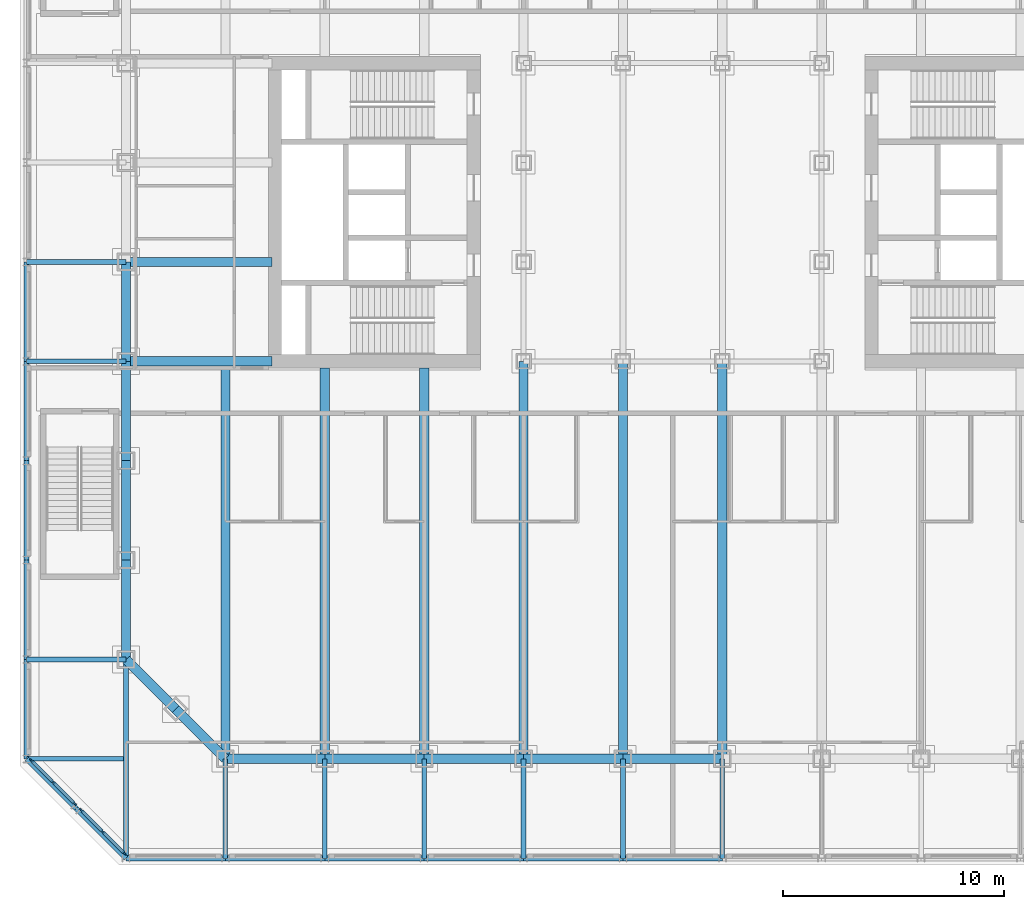
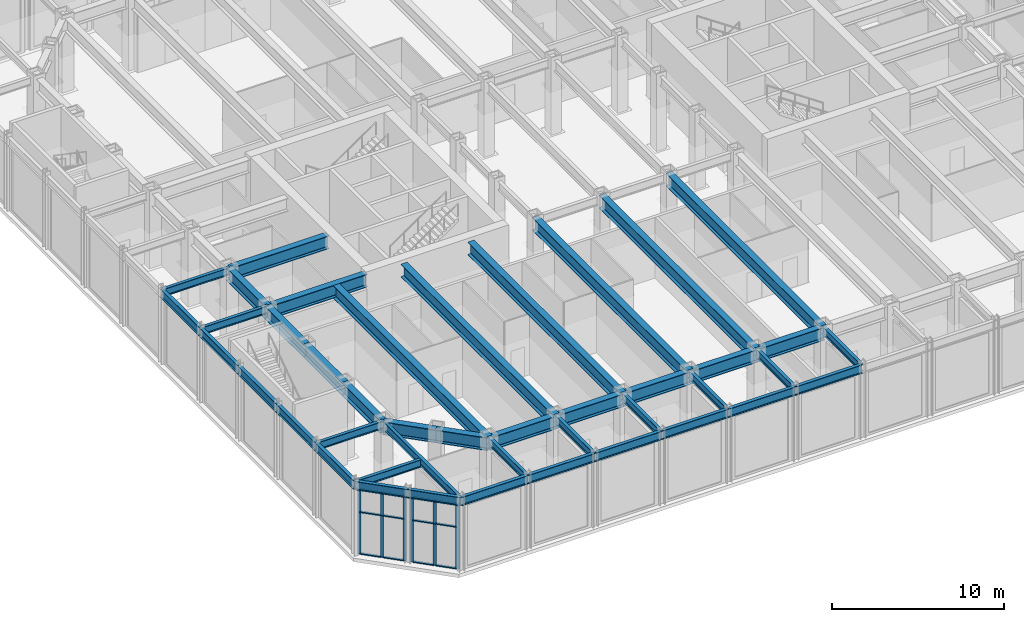
# One storey, part 4 of 19: 43 beams, 18 members, 2 elements without a shape of their own.
"""IFC4 building model written with IfcOpenShell, lengths in metres."""

from ifc_helpers import new_model, si_unit, direction, frame, origin, origin_2d, place, context, subcontext, project, spatial, rectangle, i_section, extrude, material, material_profile, profile_set, type_object, element, aggregate, save


model = new_model("IFC4")

# Units and contexts
model_context = context("Model", 3, precision=1e-05, world=origin(), true_north=direction((0.0, 1.0)))
body_context = subcontext(model_context, "Body", "Model", "MODEL_VIEW")
ifc_project = project(units=[si_unit("LENGTHUNIT", "METRE"), si_unit("AREAUNIT", "SQUARE_METRE"), si_unit("VOLUMEUNIT", "CUBIC_METRE"), si_unit("PLANEANGLEUNIT", "RADIAN"), si_unit("MASSUNIT", "GRAM", prefix="KILO")], contexts=[model_context])

# Site, building, storey
site_placement = place(None, origin())
site = spatial("IfcSite", under=ifc_project, at=site_placement, CompositionType="ELEMENT")
building_placement = place(site_placement, origin())
building = spatial("IfcBuilding", under=site, at=building_placement, Name="Msasa Ring Tower", CompositionType="ELEMENT")
storey_placement = place(building_placement, frame((0.0, 0.0, 16.0)))
storey = spatial("IfcBuildingStorey", under=building, at=storey_placement, Name="L03", CompositionType="ELEMENT", Elevation=16.0)

# Curtain wall, members
ifc_material_1 = material(Name="Aluminium curtain wall with clear glass", Category="aluminium")
curtain_wall_type = type_object("IfcCurtainWallType", Name="CW-K PODIUM CORNER CURTAIN WALL", PredefinedType="NOTDEFINED", material=ifc_material_1)
curtain_wall_1_placement = place(storey_placement, origin())
curtain_wall_1 = element("IfcCurtainWall", 1, at=curtain_wall_1_placement, inside=storey, type_object=curtain_wall_type, Name="Podium corner curtain wall SW L03", PredefinedType="NOTDEFINED")
ifc_material_2 = material(Name="Aluminium mullion", Category="aluminium")
ifc_material_profile_1 = material_profile(ifc_material_2, rectangle(XDim=0.070068359375, YDim=0.199951171875, at=origin_2d()), Name="AL 70x200")
ifc_profile_set_1 = profile_set([ifc_material_profile_1], Name="Aluminium mullion")
member_type_1 = type_object("IfcMemberType", Name="CW-K MULLION 70x200", PredefinedType="MULLION", material=ifc_profile_set_1)
member_1_placement = place(storey_placement, frame((-29.02197265625, -24.836669921875, 0.0), z_axis=(0.0, 0.0, 1.0), x_axis=(0.707106781187, 0.707106781187, 0.0)))
member_1 = element("IfcMember", 2, at=member_1_placement, type_object=member_type_1, Name="CW-K mullion 1", PredefinedType="MULLION", context=body_context, shape_type="SweptSolid", body=[
    extrude(rectangle(XDim=0.070068359375, YDim=0.199951171875, at=origin_2d()), origin(), (0.0, 0.0, 1.0), 4.6328125),
])
member_2_placement = place(storey_placement, frame((-28.05419921875, -25.80419921875, 0.0), z_axis=(0.0, 0.0, 1.0), x_axis=(0.707106781187, 0.707106781187, 0.0)))
member_2 = element("IfcMember", 3, at=member_2_placement, type_object=member_type_1, Name="CW-K mullion 2", PredefinedType="MULLION", context=body_context, shape_type="SweptSolid", body=[
    extrude(rectangle(XDim=0.070068359375, YDim=0.199951171875, at=origin_2d()), origin(), (0.0, 0.0, 1.0), 4.6328125),
])
member_3_placement = place(storey_placement, frame((-27.086669921875, -26.77197265625, 0.0), z_axis=(0.0, 0.0, 1.0), x_axis=(0.707106781187, 0.707106781187, 0.0)))
member_3 = element("IfcMember", 4, at=member_3_placement, type_object=member_type_1, Name="CW-K mullion 3", PredefinedType="MULLION", context=body_context, shape_type="SweptSolid", body=[
    extrude(rectangle(XDim=0.070068359375, YDim=0.199951171875, at=origin_2d()), origin(), (0.0, 0.0, 1.0), 4.6328125),
])

curtain_wall_2_placement = place(storey_placement, origin())
curtain_wall_2 = element("IfcCurtainWall", 5, at=curtain_wall_2_placement, inside=storey, type_object=curtain_wall_type, Name="Podium corner curtain wall SW L03", PredefinedType="NOTDEFINED")
member_4_placement = place(storey_placement, frame((-26.77197265625, -27.086669921875, 0.0), z_axis=(0.0, 0.0, 1.0), x_axis=(0.707106781187, 0.707106781187, 0.0)))
member_4 = element("IfcMember", 6, at=member_4_placement, type_object=member_type_1, Name="CW-K mullion 1", PredefinedType="MULLION", context=body_context, shape_type="SweptSolid", body=[
    extrude(rectangle(XDim=0.070068359375, YDim=0.199951171875, at=origin_2d()), origin(), (0.0, 0.0, 1.0), 4.6328125),
])
member_5_placement = place(storey_placement, frame((-25.80419921875, -28.05419921875, 0.0), z_axis=(0.0, 0.0, 1.0), x_axis=(0.707106781187, 0.707106781187, 0.0)))
member_5 = element("IfcMember", 7, at=member_5_placement, type_object=member_type_1, Name="CW-K mullion 2", PredefinedType="MULLION", context=body_context, shape_type="SweptSolid", body=[
    extrude(rectangle(XDim=0.070068359375, YDim=0.199951171875, at=origin_2d()), origin(), (0.0, 0.0, 1.0), 4.6328125),
])
member_6_placement = place(storey_placement, frame((-24.836669921875, -29.02197265625, 0.0), z_axis=(0.0, 0.0, 1.0), x_axis=(0.707106781187, 0.707106781187, 0.0)))
member_6 = element("IfcMember", 8, at=member_6_placement, type_object=member_type_1, Name="CW-K mullion 3", PredefinedType="MULLION", context=body_context, shape_type="SweptSolid", body=[
    extrude(rectangle(XDim=0.070068359375, YDim=0.199951171875, at=origin_2d()), origin(), (0.0, 0.0, 1.0), 4.6328125),
])

# Member
ifc_material_3 = material(Name="Aluminium transom", Category="aluminium")
ifc_material_profile_2 = material_profile(ifc_material_3, rectangle(XDim=0.14990234375, YDim=0.070068359375, at=origin_2d()), Name="AL 70x150")
ifc_profile_set_2 = profile_set([ifc_material_profile_2], Name="Aluminium transom")
member_type_2 = type_object("IfcMemberType", Name="CW-K TRANSOM 70x150", PredefinedType="USERDEFINED", material=ifc_profile_set_2)
member_7_placement = place(storey_placement, frame((-28.9970703125, -24.861572265625, 0.034912109375), z_axis=(0.707106781187, -0.707106781187, 0.0), x_axis=(0.707106781187, 0.707106781187, 0.0)))
member_7 = element("IfcMember", 9, at=member_7_placement, type_object=member_type_2, Name="CW-K transom 1.1", ObjectType="TRANSOM", PredefinedType="USERDEFINED", context=body_context, shape_type="SweptSolid", body=[
    extrude(rectangle(XDim=0.14990234375, YDim=0.070068359375, at=origin_2d()), origin(), (0.0, 0.0, 1.0), 1.298095703125),
])

member_8_placement = place(storey_placement, frame((-28.9970703125, -24.861572265625, 3.0), z_axis=(0.707106781187, -0.707106781187, 0.0), x_axis=(0.707106781187, 0.707106781187, 0.0)))
member_8 = element("IfcMember", 10, at=member_8_placement, type_object=member_type_2, Name="CW-K transom 1.2", ObjectType="TRANSOM", PredefinedType="USERDEFINED", context=body_context, shape_type="SweptSolid", body=[
    extrude(rectangle(XDim=0.14990234375, YDim=0.070068359375, at=origin_2d()), origin(), (0.0, 0.0, 1.0), 1.298095703125),
])

member_9_placement = place(storey_placement, frame((-28.9970703125, -24.861572265625, 4.597900390625), z_axis=(0.707106781187, -0.707106781187, 0.0), x_axis=(0.707106781187, 0.707106781187, 0.0)))
member_9 = element("IfcMember", 11, at=member_9_placement, type_object=member_type_2, Name="CW-K transom 1.3", ObjectType="TRANSOM", PredefinedType="USERDEFINED", context=body_context, shape_type="SweptSolid", body=[
    extrude(rectangle(XDim=0.14990234375, YDim=0.070068359375, at=origin_2d()), origin(), (0.0, 0.0, 1.0), 1.298095703125),
])

member_10_placement = place(storey_placement, frame((-28.029541015625, -25.8291015625, 0.034912109375), z_axis=(0.707106781187, -0.707106781187, 0.0), x_axis=(0.707106781187, 0.707106781187, 0.0)))
member_10 = element("IfcMember", 12, at=member_10_placement, type_object=member_type_2, Name="CW-K transom 2.1", ObjectType="TRANSOM", PredefinedType="USERDEFINED", context=body_context, shape_type="SweptSolid", body=[
    extrude(rectangle(XDim=0.14990234375, YDim=0.070068359375, at=origin_2d()), origin(), (0.0, 0.0, 1.0), 1.298095703125),
])

member_11_placement = place(storey_placement, frame((-28.029541015625, -25.8291015625, 3.0), z_axis=(0.707106781187, -0.707106781187, 0.0), x_axis=(0.707106781187, 0.707106781187, 0.0)))
member_11 = element("IfcMember", 13, at=member_11_placement, type_object=member_type_2, Name="CW-K transom 2.2", ObjectType="TRANSOM", PredefinedType="USERDEFINED", context=body_context, shape_type="SweptSolid", body=[
    extrude(rectangle(XDim=0.14990234375, YDim=0.070068359375, at=origin_2d()), origin(), (0.0, 0.0, 1.0), 1.298095703125),
])

member_12_placement = place(storey_placement, frame((-28.029541015625, -25.8291015625, 4.597900390625), z_axis=(0.707106781187, -0.707106781187, 0.0), x_axis=(0.707106781187, 0.707106781187, 0.0)))
member_12 = element("IfcMember", 14, at=member_12_placement, type_object=member_type_2, Name="CW-K transom 2.3", ObjectType="TRANSOM", PredefinedType="USERDEFINED", context=body_context, shape_type="SweptSolid", body=[
    extrude(rectangle(XDim=0.14990234375, YDim=0.070068359375, at=origin_2d()), origin(), (0.0, 0.0, 1.0), 1.298095703125),
])

aggregate(curtain_wall_1, [member_1, member_2, member_3, member_7, member_8, member_9, member_10, member_11, member_12])

member_13_placement = place(storey_placement, frame((-26.7470703125, -27.111572265625, 0.034912109375), z_axis=(0.707106781187, -0.707106781187, 0.0), x_axis=(0.707106781187, 0.707106781187, 0.0)))
member_13 = element("IfcMember", 15, at=member_13_placement, type_object=member_type_2, Name="CW-K transom 1.1", ObjectType="TRANSOM", PredefinedType="USERDEFINED", context=body_context, shape_type="SweptSolid", body=[
    extrude(rectangle(XDim=0.14990234375, YDim=0.070068359375, at=origin_2d()), origin(), (0.0, 0.0, 1.0), 1.298095703125),
])

member_14_placement = place(storey_placement, frame((-26.7470703125, -27.111572265625, 3.0), z_axis=(0.707106781187, -0.707106781187, 0.0), x_axis=(0.707106781187, 0.707106781187, 0.0)))
member_14 = element("IfcMember", 16, at=member_14_placement, type_object=member_type_2, Name="CW-K transom 1.2", ObjectType="TRANSOM", PredefinedType="USERDEFINED", context=body_context, shape_type="SweptSolid", body=[
    extrude(rectangle(XDim=0.14990234375, YDim=0.070068359375, at=origin_2d()), origin(), (0.0, 0.0, 1.0), 1.298095703125),
])

member_15_placement = place(storey_placement, frame((-26.7470703125, -27.111572265625, 4.597900390625), z_axis=(0.707106781187, -0.707106781187, 0.0), x_axis=(0.707106781187, 0.707106781187, 0.0)))
member_15 = element("IfcMember", 17, at=member_15_placement, type_object=member_type_2, Name="CW-K transom 1.3", ObjectType="TRANSOM", PredefinedType="USERDEFINED", context=body_context, shape_type="SweptSolid", body=[
    extrude(rectangle(XDim=0.14990234375, YDim=0.070068359375, at=origin_2d()), origin(), (0.0, 0.0, 1.0), 1.298095703125),
])

member_16_placement = place(storey_placement, frame((-25.779541015625, -28.0791015625, 0.034912109375), z_axis=(0.707106781187, -0.707106781187, 0.0), x_axis=(0.707106781187, 0.707106781187, 0.0)))
member_16 = element("IfcMember", 18, at=member_16_placement, type_object=member_type_2, Name="CW-K transom 2.1", ObjectType="TRANSOM", PredefinedType="USERDEFINED", context=body_context, shape_type="SweptSolid", body=[
    extrude(rectangle(XDim=0.14990234375, YDim=0.070068359375, at=origin_2d()), origin(), (0.0, 0.0, 1.0), 1.298095703125),
])

member_17_placement = place(storey_placement, frame((-25.779541015625, -28.0791015625, 3.0), z_axis=(0.707106781187, -0.707106781187, 0.0), x_axis=(0.707106781187, 0.707106781187, 0.0)))
member_17 = element("IfcMember", 19, at=member_17_placement, type_object=member_type_2, Name="CW-K transom 2.2", ObjectType="TRANSOM", PredefinedType="USERDEFINED", context=body_context, shape_type="SweptSolid", body=[
    extrude(rectangle(XDim=0.14990234375, YDim=0.070068359375, at=origin_2d()), origin(), (0.0, 0.0, 1.0), 1.298095703125),
])

member_18_placement = place(storey_placement, frame((-25.779541015625, -28.0791015625, 4.597900390625), z_axis=(0.707106781187, -0.707106781187, 0.0), x_axis=(0.707106781187, 0.707106781187, 0.0)))
member_18 = element("IfcMember", 20, at=member_18_placement, type_object=member_type_2, Name="CW-K transom 2.3", ObjectType="TRANSOM", PredefinedType="USERDEFINED", context=body_context, shape_type="SweptSolid", body=[
    extrude(rectangle(XDim=0.14990234375, YDim=0.070068359375, at=origin_2d()), origin(), (0.0, 0.0, 1.0), 1.298095703125),
])

aggregate(curtain_wall_2, [member_4, member_5, member_6, member_13, member_14, member_15, member_16, member_17, member_18])

# Beams
ifc_material_4 = material(Name="Steel S355", Category="steel")
ifc_material_profile_3 = material_profile(ifc_material_4, i_section(OverallWidth=0.41845703125, OverallDepth=0.911865234375, WebThickness=0.019287109375, FlangeThickness=0.031982421875, FilletRadius=0.024169921875, at=origin_2d()), Name="UB 914x419x343")
ifc_profile_set_3 = profile_set([ifc_material_profile_3], Name="Steel S355")
beam_type_1 = type_object("IfcBeamType", Name="FB1 UB 914x419x343", PredefinedType="BEAM", material=ifc_profile_set_3)
beam_1_placement = place(storey_placement, frame((-20.25, -24.75, 4.794189453125), z_axis=(0.0, 1.0, 0.0), x_axis=(-1.0, 0.0, 0.0)))
element("IfcBeam", 21, at=beam_1_placement, inside=storey, type_object=beam_type_1, Name="Floor beam S-20.25 under L04", PredefinedType="BEAM", context=body_context, shape_type="SweptSolid", body=[
    extrude(i_section(OverallWidth=0.41845703125, OverallDepth=0.911865234375, WebThickness=0.019287109375, FlangeThickness=0.031982421875, FilletRadius=0.024169921875, at=origin_2d()), origin(), (0.0, 0.0, 1.0), 17.789794921875),
])
for number, where, z_axis, x_axis, name in (
    (22, (-15.75, -24.75, 4.794189453125), (0.0, 1.0, 0.0), (-1.0, 0.0, 0.0), "Floor beam S-15.75 under L04"),
    (23, (-11.25, -24.75, 4.794189453125), (0.0, 1.0, 0.0), (-1.0, 0.0, 0.0), "Floor beam S-11.25 under L04"),
):
    element("IfcBeam", number, at=place(storey_placement, frame(where, z_axis=z_axis, x_axis=x_axis)), inside=storey, type_object=beam_type_1, Name=name, PredefinedType="BEAM", context=body_context, shape_type="SweptSolid", body=[
        extrude(i_section(OverallWidth=0.41845703125, OverallDepth=0.911865234375, WebThickness=0.019287109375, FlangeThickness=0.031982421875, FilletRadius=0.024169921875, at=origin_2d()), origin(), (0.0, 0.0, 1.0), 17.699951171875),
    ])
for number, where, z_axis, x_axis, name in (
    (24, (-6.75, -24.75, 4.794189453125), (0.0, 1.0, 0.0), (-1.0, 0.0, 0.0), "Floor beam S-6.75 under L04"),
    (25, (-2.25, -24.75, 4.794189453125), (0.0, 1.0, 0.0), (-1.0, 0.0, 0.0), "Floor beam S-2.25 under L04"),
    (26, (2.25, -24.75, 4.794189453125), (0.0, 1.0, 0.0), (-1.0, 0.0, 0.0), "Floor beam S+2.25 under L04"),
):
    element("IfcBeam", number, at=place(storey_placement, frame(where, z_axis=z_axis, x_axis=x_axis)), inside=storey, type_object=beam_type_1, Name=name, PredefinedType="BEAM", context=body_context, shape_type="SweptSolid", body=[
        extrude(i_section(OverallWidth=0.41845703125, OverallDepth=0.911865234375, WebThickness=0.019287109375, FlangeThickness=0.031982421875, FilletRadius=0.024169921875, at=origin_2d()), origin(), (0.0, 0.0, 1.0), 18.0),
    ])
ifc_material_5 = material(Name="Steel S355", Category="steel")
ifc_material_profile_4 = material_profile(ifc_material_5, i_section(OverallWidth=0.42041015625, OverallDepth=0.9208984375, WebThickness=0.021484375, FlangeThickness=0.03662109375, FilletRadius=0.024169921875, at=origin_2d()), Name="UB 914x419x388")
ifc_profile_set_4 = profile_set([ifc_material_profile_4], Name="Steel S355")
beam_type_2 = type_object("IfcBeamType", Name="FB2 UB 914x419x388", PredefinedType="BEAM", material=ifc_profile_set_4)
beam_2_placement = place(storey_placement, frame((-24.75, -2.25, 4.78955078125), z_axis=(1.0, 0.0, 0.0), x_axis=(0.0, 1.0, 0.0)))
element("IfcBeam", 27, at=beam_2_placement, inside=storey, type_object=beam_type_2, Name="Floor beam W -2.25 under L04", PredefinedType="BEAM", context=body_context, shape_type="SweptSolid", body=[
    extrude(i_section(OverallWidth=0.42041015625, OverallDepth=0.9208984375, WebThickness=0.021484375, FlangeThickness=0.03662109375, FilletRadius=0.024169921875, at=origin_2d()), origin(), (0.0, 0.0, 1.0), 6.60009765625),
])
ifc_material_6 = material(Name="Steel S355", Category="steel")
ifc_material_profile_5 = material_profile(ifc_material_6, i_section(OverallWidth=0.42041015625, OverallDepth=0.9208984375, WebThickness=0.021484375, FlangeThickness=0.03662109375, FilletRadius=0.024169921875, at=origin_2d()), Name="UB 914x419x388")
ifc_profile_set_5 = profile_set([ifc_material_profile_5], Name="Steel S355")
beam_type_3 = type_object("IfcBeamType", Name="GB1 UB 914x419x388", PredefinedType="BEAM", material=ifc_profile_set_5)
beam_3_placement = place(storey_placement, frame((-18.14990234375, -6.75, 4.78955078125), z_axis=(-1.0, 0.0, 0.0), x_axis=(0.0, -1.0, 0.0)))
element("IfcBeam", 28, at=beam_3_placement, inside=storey, type_object=beam_type_3, Name="Girder W -6.75 under L04", PredefinedType="BEAM", context=body_context, shape_type="SweptSolid", body=[
    extrude(i_section(OverallWidth=0.42041015625, OverallDepth=0.9208984375, WebThickness=0.021484375, FlangeThickness=0.03662109375, FilletRadius=0.024169921875, at=origin_2d()), origin(), (0.0, 0.0, 1.0), 6.60009765625),
])
ifc_material_7 = material(Name="Steel S355", Category="steel")
ifc_material_profile_6 = material_profile(ifc_material_7, i_section(OverallWidth=0.2119140625, OverallDepth=0.54443359375, WebThickness=0.0126953125, FlangeThickness=0.021240234375, FilletRadius=0.0126953125, at=origin_2d()), Name="UB 533x210x122")
ifc_profile_set_6 = profile_set([ifc_material_profile_6], Name="Steel S355")
beam_type_4 = type_object("IfcBeamType", Name="PB1 UB 533x210x122", PredefinedType="BEAM", material=ifc_profile_set_6)
beam_4_placement = place(storey_placement, frame((-24.75, -29.25, 4.977783203125), z_axis=(0.0, 1.0, 0.0), x_axis=(-1.0, 0.0, 0.0)))
element("IfcBeam", 29, at=beam_4_placement, inside=storey, type_object=beam_type_4, Name="Podium beam S-24.75 under L04", PredefinedType="BEAM", context=body_context, shape_type="SweptSolid", body=[
    extrude(i_section(OverallWidth=0.2119140625, OverallDepth=0.54443359375, WebThickness=0.0126953125, FlangeThickness=0.021240234375, FilletRadius=0.0126953125, at=origin_2d()), origin(), (0.0, 0.0, 1.0), 9.0),
])
beam_5_placement = place(storey_placement, frame((-29.25, -24.75, 4.977783203125), z_axis=(1.0, 0.0, 0.0), x_axis=(0.0, 1.0, 0.0)))
element("IfcBeam", 30, at=beam_5_placement, inside=storey, type_object=beam_type_4, Name="Podium beam W-24.75 under L04", PredefinedType="BEAM", context=body_context, shape_type="SweptSolid", body=[
    extrude(i_section(OverallWidth=0.2119140625, OverallDepth=0.54443359375, WebThickness=0.0126953125, FlangeThickness=0.021240234375, FilletRadius=0.0126953125, at=origin_2d()), origin(), (0.0, 0.0, 1.0), 4.39404296875),
])
for number, where, z_axis, x_axis, name in (
    (31, (-20.25, -29.25, 4.977783203125), (0.0, 1.0, 0.0), (-1.0, 0.0, 0.0), "Podium beam S-20.25 under L04"),
    (32, (-29.25, -20.25, 4.977783203125), (1.0, 0.0, 0.0), (0.0, 1.0, 0.0), "Podium beam W-20.25 under L04"),
    (33, (-15.75, -29.25, 4.977783203125), (0.0, 1.0, 0.0), (-1.0, 0.0, 0.0), "Podium beam S-15.75 under L04"),
    (34, (-11.25, -29.25, 4.977783203125), (0.0, 1.0, 0.0), (-1.0, 0.0, 0.0), "Podium beam S-11.25 under L04"),
    (35, (-6.75, -29.25, 4.977783203125), (0.0, 1.0, 0.0), (-1.0, 0.0, 0.0), "Podium beam S-6.75 under L04"),
    (36, (-29.25, -6.75, 4.977783203125), (1.0, 0.0, 0.0), (0.0, 1.0, 0.0), "Podium beam W-6.75 under L04"),
    (37, (-2.25, -29.25, 4.977783203125), (0.0, 1.0, 0.0), (-1.0, 0.0, 0.0), "Podium beam S-2.25 under L04"),
    (38, (-29.25, -2.25, 4.977783203125), (1.0, 0.0, 0.0), (0.0, 1.0, 0.0), "Podium beam W-2.25 under L04"),
    (39, (2.25, -29.25, 4.977783203125), (0.0, 1.0, 0.0), (-1.0, 0.0, 0.0), "Podium beam S+2.25 under L04"),
):
    element("IfcBeam", number, at=place(storey_placement, frame(where, z_axis=z_axis, x_axis=x_axis)), inside=storey, type_object=beam_type_4, Name=name, PredefinedType="BEAM", context=body_context, shape_type="SweptSolid", body=[
        extrude(i_section(OverallWidth=0.2119140625, OverallDepth=0.54443359375, WebThickness=0.0126953125, FlangeThickness=0.021240234375, FilletRadius=0.0126953125, at=origin_2d()), origin(), (0.0, 0.0, 1.0), 4.5),
    ])
ifc_material_8 = material(Name="Steel S355", Category="steel")
ifc_material_profile_7 = material_profile(ifc_material_8, i_section(OverallWidth=0.42041015625, OverallDepth=0.9208984375, WebThickness=0.021484375, FlangeThickness=0.03662109375, FilletRadius=0.024169921875, at=origin_2d()), Name="UB 914x419x388")
ifc_profile_set_7 = profile_set([ifc_material_profile_7], Name="Steel S355")
beam_type_5 = type_object("IfcBeamType", Name="SB1 UB 914x419x388", PredefinedType="SPANDREL", material=ifc_profile_set_7)
for number, where, z_axis, x_axis, name in (
    (40, (-24.75, -2.25, 4.78955078125), (0.0, -1.0, 0.0), (1.0, 0.0, 0.0), "Spandrel W-2.25 to W-6.75 under L04"),
    (41, (-24.75, -6.75, 4.78955078125), (0.0, -1.0, 0.0), (1.0, 0.0, 0.0), "Spandrel W-6.75 to W-11.25 under L04"),
    (42, (-24.75, -11.25, 4.78955078125), (0.0, -1.0, 0.0), (1.0, 0.0, 0.0), "Spandrel W-11.25 to W-15.75 under L04"),
    (43, (-24.75, -15.75, 4.78955078125), (0.0, -1.0, 0.0), (1.0, 0.0, 0.0), "Spandrel W-15.75 to W-20.25 under L04"),
):
    element("IfcBeam", number, at=place(storey_placement, frame(where, z_axis=z_axis, x_axis=x_axis)), inside=storey, type_object=beam_type_5, Name=name, PredefinedType="SPANDREL", context=body_context, shape_type="SweptSolid", body=[
        extrude(i_section(OverallWidth=0.42041015625, OverallDepth=0.9208984375, WebThickness=0.021484375, FlangeThickness=0.03662109375, FilletRadius=0.024169921875, at=origin_2d()), origin(), (0.0, 0.0, 1.0), 4.5),
    ])
for number, where, z_axis, x_axis, name in (
    (44, (-24.75, -20.25, 4.78955078125), (0.707106781187, -0.707106781187, 0.0), (0.707106781187, 0.707106781187, 0.0), "Spandrel W-20.25 to SW under L04"),
    (45, (-22.5, -22.5, 4.78955078125), (0.707106781187, -0.707106781187, 0.0), (0.707106781187, 0.707106781187, 0.0), "Spandrel SW to S-20.25 under L04"),
):
    element("IfcBeam", number, at=place(storey_placement, frame(where, z_axis=z_axis, x_axis=x_axis)), inside=storey, type_object=beam_type_5, Name=name, PredefinedType="SPANDREL", context=body_context, shape_type="SweptSolid", body=[
        extrude(i_section(OverallWidth=0.42041015625, OverallDepth=0.9208984375, WebThickness=0.021484375, FlangeThickness=0.03662109375, FilletRadius=0.024169921875, at=origin_2d()), origin(), (0.0, 0.0, 1.0), 3.181884765625),
    ])
for number, where, z_axis, x_axis, name in (
    (46, (-20.25, -24.75, 4.78955078125), (1.0, 0.0, 0.0), (0.0, 1.0, 0.0), "Spandrel S-20.25 to S-15.75 under L04"),
    (47, (-15.75, -24.75, 4.78955078125), (1.0, 0.0, 0.0), (0.0, 1.0, 0.0), "Spandrel S-15.75 to S-11.25 under L04"),
    (48, (-11.25, -24.75, 4.78955078125), (1.0, 0.0, 0.0), (0.0, 1.0, 0.0), "Spandrel S-11.25 to S-6.75 under L04"),
    (49, (-6.75, -24.75, 4.78955078125), (1.0, 0.0, 0.0), (0.0, 1.0, 0.0), "Spandrel S-6.75 to S-2.25 under L04"),
    (50, (-2.25, -24.75, 4.78955078125), (1.0, 0.0, 0.0), (0.0, 1.0, 0.0), "Spandrel S-2.25 to S+2.25 under L04"),
):
    element("IfcBeam", number, at=place(storey_placement, frame(where, z_axis=z_axis, x_axis=x_axis)), inside=storey, type_object=beam_type_5, Name=name, PredefinedType="SPANDREL", context=body_context, shape_type="SweptSolid", body=[
        extrude(i_section(OverallWidth=0.42041015625, OverallDepth=0.9208984375, WebThickness=0.021484375, FlangeThickness=0.03662109375, FilletRadius=0.024169921875, at=origin_2d()), origin(), (0.0, 0.0, 1.0), 4.5),
    ])
ifc_material_9 = material(Name="Steel S355", Category="steel")
ifc_material_profile_8 = material_profile(ifc_material_9, i_section(OverallWidth=0.230224609375, OverallDepth=0.6171875, WebThickness=0.01318359375, FlangeThickness=0.022216796875, FilletRadius=0.0126953125, at=origin_2d()), Name="UB 610x229x140")
ifc_profile_set_8 = profile_set([ifc_material_profile_8], Name="Steel S355")
beam_type_6 = type_object("IfcBeamType", Name="SB2 UB 610x229x140", PredefinedType="SPANDREL", material=ifc_profile_set_8)
for number, where, z_axis, x_axis, name in (
    (51, (-29.25, -2.25, 4.94140625), (0.0, -1.0, 0.0), (1.0, 0.0, 0.0), "Podium spandrel W-2.25 under L04"),
    (52, (-29.25, -6.75, 4.94140625), (0.0, -1.0, 0.0), (1.0, 0.0, 0.0), "Podium spandrel W-6.75 under L04"),
    (53, (-29.25, -11.25, 4.94140625), (0.0, -1.0, 0.0), (1.0, 0.0, 0.0), "Podium spandrel W-11.25 under L04"),
    (54, (-29.25, -15.75, 4.94140625), (0.0, -1.0, 0.0), (1.0, 0.0, 0.0), "Podium spandrel W-15.75 under L04"),
    (55, (-29.25, -20.25, 4.94140625), (0.0, -1.0, 0.0), (1.0, 0.0, 0.0), "Podium spandrel W-20.25 under L04"),
):
    element("IfcBeam", number, at=place(storey_placement, frame(where, z_axis=z_axis, x_axis=x_axis)), inside=storey, type_object=beam_type_6, Name=name, PredefinedType="SPANDREL", context=body_context, shape_type="SweptSolid", body=[
        extrude(i_section(OverallWidth=0.230224609375, OverallDepth=0.6171875, WebThickness=0.01318359375, FlangeThickness=0.022216796875, FilletRadius=0.0126953125, at=origin_2d()), origin(), (0.0, 0.0, 1.0), 4.5),
    ])
for number, where, z_axis, x_axis, name in (
    (56, (-29.25, -24.75, 4.94140625), (0.707106781187, -0.707106781187, 0.0), (0.707106781187, 0.707106781187, 0.0), "Podium spandrel W-24.75 under L04"),
    (57, (-27.0, -27.0, 4.94140625), (0.707106781187, -0.707106781187, 0.0), (0.707106781187, 0.707106781187, 0.0), "Podium spandrel SW under L04"),
):
    element("IfcBeam", number, at=place(storey_placement, frame(where, z_axis=z_axis, x_axis=x_axis)), inside=storey, type_object=beam_type_6, Name=name, PredefinedType="SPANDREL", context=body_context, shape_type="SweptSolid", body=[
        extrude(i_section(OverallWidth=0.230224609375, OverallDepth=0.6171875, WebThickness=0.01318359375, FlangeThickness=0.022216796875, FilletRadius=0.0126953125, at=origin_2d()), origin(), (0.0, 0.0, 1.0), 3.181884765625),
    ])
for number, where, z_axis, x_axis, name in (
    (58, (-24.75, -29.25, 4.94140625), (1.0, 0.0, 0.0), (0.0, 1.0, 0.0), "Podium spandrel S-24.75 under L04"),
    (59, (-20.25, -29.25, 4.94140625), (1.0, 0.0, 0.0), (0.0, 1.0, 0.0), "Podium spandrel S-20.25 under L04"),
    (60, (-15.75, -29.25, 4.94140625), (1.0, 0.0, 0.0), (0.0, 1.0, 0.0), "Podium spandrel S-15.75 under L04"),
    (61, (-11.25, -29.25, 4.94140625), (1.0, 0.0, 0.0), (0.0, 1.0, 0.0), "Podium spandrel S-11.25 under L04"),
    (62, (-6.75, -29.25, 4.94140625), (1.0, 0.0, 0.0), (0.0, 1.0, 0.0), "Podium spandrel S-6.75 under L04"),
    (63, (-2.25, -29.25, 4.94140625), (1.0, 0.0, 0.0), (0.0, 1.0, 0.0), "Podium spandrel S-2.25 under L04"),
):
    element("IfcBeam", number, at=place(storey_placement, frame(where, z_axis=z_axis, x_axis=x_axis)), inside=storey, type_object=beam_type_6, Name=name, PredefinedType="SPANDREL", context=body_context, shape_type="SweptSolid", body=[
        extrude(i_section(OverallWidth=0.230224609375, OverallDepth=0.6171875, WebThickness=0.01318359375, FlangeThickness=0.022216796875, FilletRadius=0.0126953125, at=origin_2d()), origin(), (0.0, 0.0, 1.0), 4.5),
    ])

save(model, "model.ifc")
